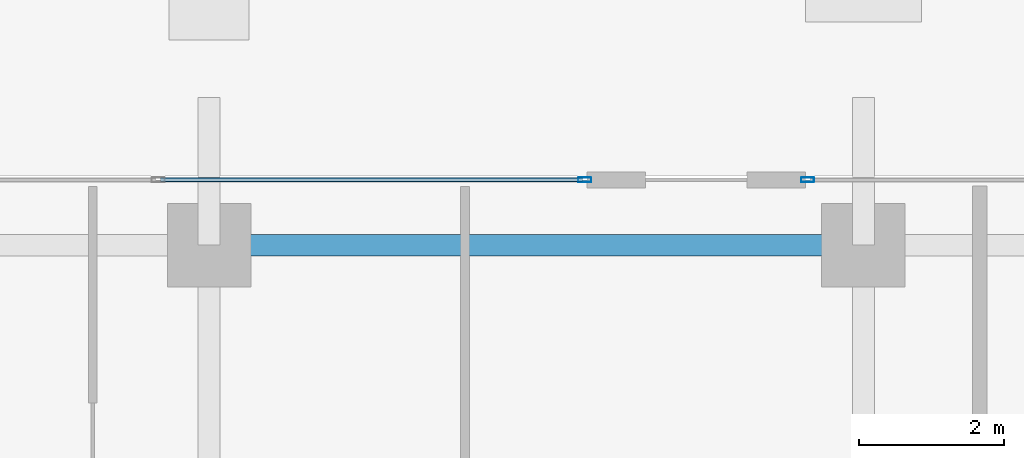
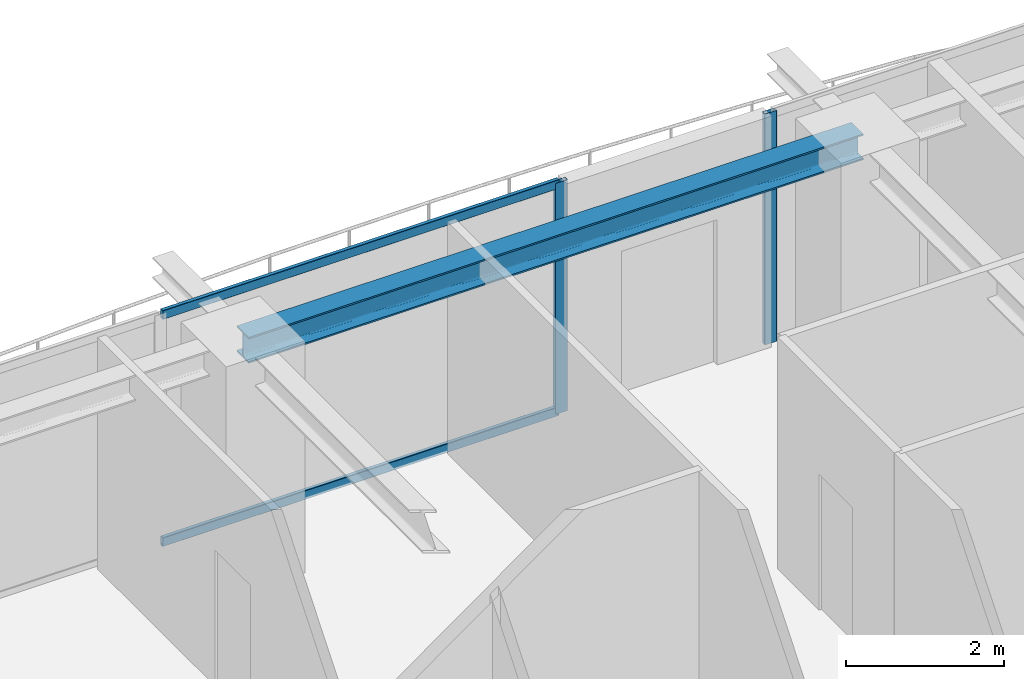
# One storey, part 22 of 39: 4 members, 1 beam, 2 elements without a shape of their own.
"""IFC4 building model written with IfcOpenShell, lengths in metres."""

from ifc_helpers import new_model, si_unit, direction, frame, origin, origin_2d, place, context, subcontext, project, spatial, hollow_rectangle, i_section, extrude, source, transform, mapped, material, layer, layer_set, material_profile, profile_set, type_object, element, aggregate, save


model = new_model("IFC4")

# Units and contexts
model_context = context("Model", 3, precision=1e-05, world=origin(), true_north=direction((0.0, 1.0)))
body_context = subcontext(model_context, "Body", "Model", "MODEL_VIEW")
ifc_project = project(units=[si_unit("LENGTHUNIT", "METRE"), si_unit("AREAUNIT", "SQUARE_METRE"), si_unit("VOLUMEUNIT", "CUBIC_METRE"), si_unit("PLANEANGLEUNIT", "RADIAN"), si_unit("MASSUNIT", "GRAM", prefix="KILO")], contexts=[model_context])

# Site, building, storey
site_placement = place(None, origin())
site = spatial("IfcSite", under=ifc_project, at=site_placement, CompositionType="ELEMENT")
building_placement = place(site_placement, origin())
building = spatial("IfcBuilding", under=site, at=building_placement, Name="Serunith Strait Residences", CompositionType="ELEMENT")
storey_placement = place(building_placement, frame((0.0, 0.0, 222.0)))
storey = spatial("IfcBuildingStorey", under=building, at=storey_placement, Name="L55", CompositionType="ELEMENT", Elevation=222.0)

# Beam
ifc_material_1 = material(Name="Steel S355J2", Category="steel")
ifc_material_profile_1 = material_profile(ifc_material_1, i_section(OverallWidth=0.300048828125, OverallDepth=0.39990234375, WebThickness=0.013427734375, FlangeThickness=0.02392578125, FilletRadius=0.027099609375, at=origin_2d()), Name="HEB 400")
ifc_profile_set_1 = profile_set([ifc_material_profile_1], Name="Steel S355J2")
beam_type = type_object("IfcBeamType", Name="BM-HEB400", PredefinedType="BEAM", material=ifc_profile_set_1)
shared_shape_1 = source(origin(), body_context, "Body", "SweptSolid", [
    extrude(i_section(OverallWidth=0.300048828125, OverallDepth=0.39990234375, WebThickness=0.013427734375, FlangeThickness=0.02392578125, FilletRadius=0.027099609375, at=origin_2d()), origin(), (0.0, 0.0, 1.0), 9.0),
])
beam_placement = place(storey_placement, frame((36.89990234375, 48.300048828125, 3.386962890625), z_axis=(-1.0, 0.0, 0.0), x_axis=(0.0, -1.0, 0.0)))
element("IfcBeam", 1, at=beam_placement, inside=storey, type_object=beam_type, Name="L55 Perimeter Ring Beam 10", PredefinedType="BEAM", context=body_context, shape_type="MappedRepresentation", body=[
    mapped(shared_shape_1, transform((0.0, 0.0, 0.0), scale=1.0)),
])

# Curtain wall, member
ifc_material_2 = material(Name="Pale-Champagne Anodised Aluminium", Category="aluminium")
ifc_layer = layer(ifc_material_2, 0.199951171875, Name="Pale-Champagne Anodised Aluminium")
ifc_layer_set = layer_set([ifc_layer], Name="Pale-Champagne Anodised Aluminium")
curtain_wall_type = type_object("IfcCurtainWallType", Name="CW-SYS4", PredefinedType="NOTDEFINED", material=ifc_layer_set)
curtain_wall_1_placement = place(storey_placement, origin())
curtain_wall_1 = element("IfcCurtainWall", 2, at=curtain_wall_1_placement, inside=storey, type_object=curtain_wall_type, Name="L55 N Unitised Fritted Curtain Wall", PredefinedType="NOTDEFINED")
ifc_material_profile_2 = material_profile(ifc_material_2, hollow_rectangle(XDim=0.06494140625, YDim=0.179931640625, WallThickness=0.00341796875, InnerFilletRadius=0.00537109375, OuterFilletRadius=0.0087890625, at=origin_2d()), Name="ALU 180x65x3.5")
ifc_profile_set_2 = profile_set([ifc_material_profile_2], Name="Pale-Champagne Anodised Aluminium")
member_type_1 = type_object("IfcMemberType", Name="CW-SYS4-MULL", PredefinedType="MULLION", material=ifc_profile_set_2)
shared_shape_2 = source(origin(), body_context, "Body", "SweptSolid", [
    extrude(hollow_rectangle(XDim=0.06494140625, YDim=0.179931640625, WallThickness=0.00341796875, InnerFilletRadius=0.00537109375, OuterFilletRadius=0.0087890625, at=origin_2d()), origin(), (0.0, 0.0, 1.0), 3.574951171875),
])
member_1_placement = place(storey_placement, frame((36.132568359375, 49.199951171875, 0.0), z_axis=(0.0, 0.0, 1.0), x_axis=(0.0, -1.0, 0.0)))
member_1 = element("IfcMember", 3, at=member_1_placement, type_object=member_type_1, Name="CW-4 mullion 3", PredefinedType="MULLION", context=body_context, shape_type="MappedRepresentation", body=[
    mapped(shared_shape_2, transform((0.0, 0.0, 0.0), scale=1.0)),
])
aggregate(curtain_wall_1, [member_1])

# Curtain wall, members
curtain_wall_2_placement = place(storey_placement, origin())
curtain_wall_2 = element("IfcCurtainWall", 4, at=curtain_wall_2_placement, inside=storey, type_object=curtain_wall_type, Name="L55 N Unitised Fritted Curtain Wall", PredefinedType="NOTDEFINED")
member_2_placement = place(storey_placement, frame((33.0673828125, 49.199951171875, 0.0), z_axis=(0.0, 0.0, 1.0), x_axis=(0.0, -1.0, 0.0)))
member_2 = element("IfcMember", 5, at=member_2_placement, type_object=member_type_1, Name="CW-4 mullion 1", PredefinedType="MULLION", context=body_context, shape_type="MappedRepresentation", body=[
    mapped(shared_shape_2, transform((0.0, 0.0, 0.0), scale=1.0)),
])
ifc_material_profile_3 = material_profile(ifc_material_2, hollow_rectangle(XDim=0.06005859375, YDim=0.139892578125, WallThickness=0.00341796875, InnerFilletRadius=0.00537109375, OuterFilletRadius=0.0087890625, at=origin_2d()), Name="ALU 140x60x3.5")
ifc_profile_set_3 = profile_set([ifc_material_profile_3], Name="Pale-Champagne Anodised Aluminium")
member_type_2 = type_object("IfcMemberType", Name="CW-SYS4-TRAN", PredefinedType="USERDEFINED", material=ifc_profile_set_3)
shared_shape_3 = source(origin(), body_context, "Body", "SweptSolid", [
    extrude(hollow_rectangle(XDim=0.06005859375, YDim=0.139892578125, WallThickness=0.00341796875, InnerFilletRadius=0.00537109375, OuterFilletRadius=0.0087890625, at=origin_2d()), origin(), (0.0, 0.0, 1.0), 5.802490234375),
])
member_3_placement = place(storey_placement, frame((33.034912109375, 49.199951171875, 0.030029296875), z_axis=(-1.0, 0.0, 0.0), x_axis=(0.0, -1.0, 0.0)))
member_3 = element("IfcMember", 6, at=member_3_placement, type_object=member_type_2, Name="CW-4 transom 1.1", ObjectType="TRANSOM", PredefinedType="USERDEFINED", context=body_context, shape_type="MappedRepresentation", body=[
    mapped(shared_shape_3, transform((0.0, 0.0, 0.0), scale=1.0)),
])
member_4_placement = place(storey_placement, frame((33.034912109375, 49.199951171875, 3.544921875), z_axis=(-1.0, 0.0, 0.0), x_axis=(0.0, -1.0, 0.0)))
member_4 = element("IfcMember", 7, at=member_4_placement, type_object=member_type_2, Name="CW-4 transom 1.2", ObjectType="TRANSOM", PredefinedType="USERDEFINED", context=body_context, shape_type="MappedRepresentation", body=[
    mapped(shared_shape_3, transform((0.0, 0.0, 0.0), scale=1.0)),
])
aggregate(curtain_wall_2, [member_2, member_3, member_4])

save(model, "model.ifc")
